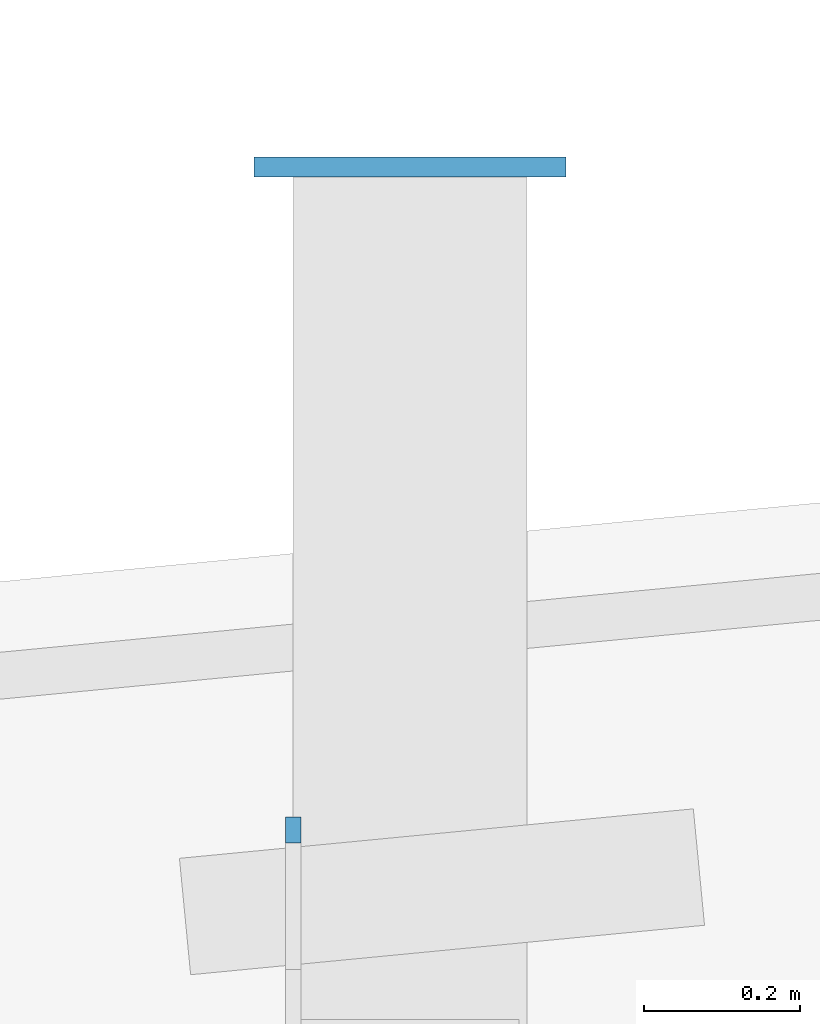
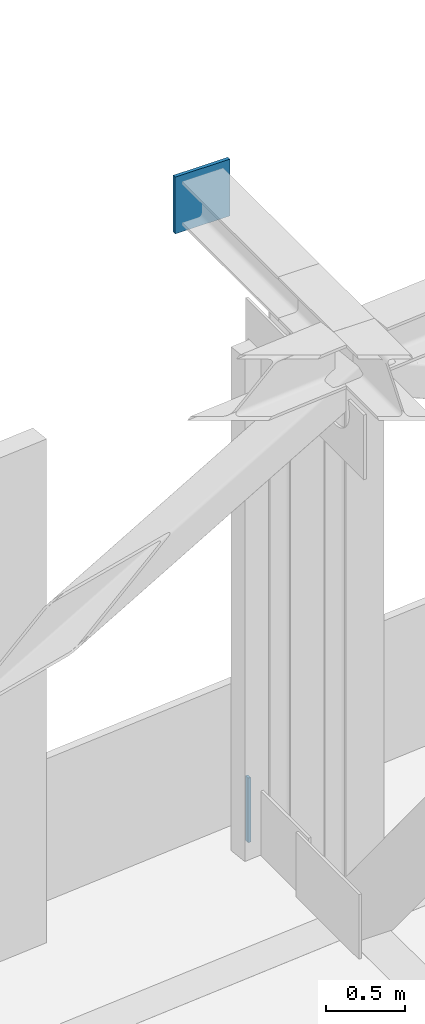
# One storey, part 18 of 26: 2 discrete accessories.
"""IFC4 building model written with IfcOpenShell, lengths in metres."""

from ifc_helpers import new_model, si_unit, direction, frame, origin, place, context, subcontext, project, spatial, polyline, outline, extrude, material, layer, layer_set, type_object, element, save


model = new_model("IFC4")

# Units and contexts
model_context = context("Model", 3, precision=1e-05, world=origin(), true_north=direction((0.0, 1.0)))
body_context = subcontext(model_context, "Body", "Model", "MODEL_VIEW")
ifc_project = project(units=[si_unit("LENGTHUNIT", "METRE"), si_unit("AREAUNIT", "SQUARE_METRE"), si_unit("VOLUMEUNIT", "CUBIC_METRE"), si_unit("PLANEANGLEUNIT", "RADIAN"), si_unit("MASSUNIT", "GRAM", prefix="KILO")], contexts=[model_context])

# Site, building, storey
site_placement = place(None, origin())
site = spatial("IfcSite", under=ifc_project, at=site_placement, CompositionType="ELEMENT")
building_placement = place(site_placement, origin())
building = spatial("IfcBuilding", under=site, at=building_placement, Name="Kajstack Hotel Tower", CompositionType="ELEMENT")
storey_placement = place(building_placement, frame((0.0, 0.0, 206.5)))
storey = spatial("IfcBuildingStorey", under=building, at=storey_placement, Name="L50", CompositionType="ELEMENT", Elevation=206.5)

# Discrete accessories
ifc_material = material(Name="Steel S355J2", Category="steel")
ifc_layer_1 = layer(ifc_material, 0.02490234375)
ifc_layer_set_1 = layer_set([ifc_layer_1], Name="END PLATE")
discrete_accessory_type_1 = type_object("IfcDiscreteAccessoryType", Name="END PLATE", PredefinedType="BRACKET", material=ifc_layer_set_1)
discrete_accessory_1_placement = place(storey_placement, frame((-9.0, 20.343505859375, 4.429931640625), z_axis=(0.0, 1.0, 0.0), x_axis=(-1.0, 0.0, 0.0)))
element("IfcDiscreteAccessory", 1, at=discrete_accessory_1_placement, inside=storey, type_object=discrete_accessory_type_1, Name="End plate L50-005", PredefinedType="BRACKET", context=body_context, shape_type="SweptSolid", body=[
    extrude(outline(polyline([(-0.199951171875, -0.219970703125), (0.199951171875, -0.219970703125), (0.199951171875, 0.219970703125), (-0.199951171875, 0.219970703125), (-0.199951171875, -0.219970703125)])), origin(), (0.0, 0.0, 1.0), 0.025146484375),
])
ifc_layer_2 = layer(ifc_material, 0.02001953125)
ifc_layer_set_2 = layer_set([ifc_layer_2], Name="GUSSET PLATE")
discrete_accessory_type_2 = type_object("IfcDiscreteAccessoryType", Name="GUSSET PLATE", PredefinedType="BRACKET", material=ifc_layer_set_2)
discrete_accessory_2_placement = place(storey_placement, frame((-9.159912109375, 19.122802734375, 0.0), z_axis=(1.0, 0.0, 0.0), x_axis=(0.0, 1.0, 0.0)))
element("IfcDiscreteAccessory", 2, at=discrete_accessory_2_placement, inside=storey, type_object=discrete_accessory_type_2, Name="Gusset plate L50-523", PredefinedType="BRACKET", context=body_context, shape_type="SweptSolid", body=[
    extrude(outline(polyline([(0.39990234375, 0.5), (0.36669921875, 0.5), (0.36669921875, 0.0), (0.39990234375, 0.0), (0.39990234375, 0.5)])), origin(), (0.0, 0.0, 1.0), 0.02001953125),
])

save(model, "model.ifc")
